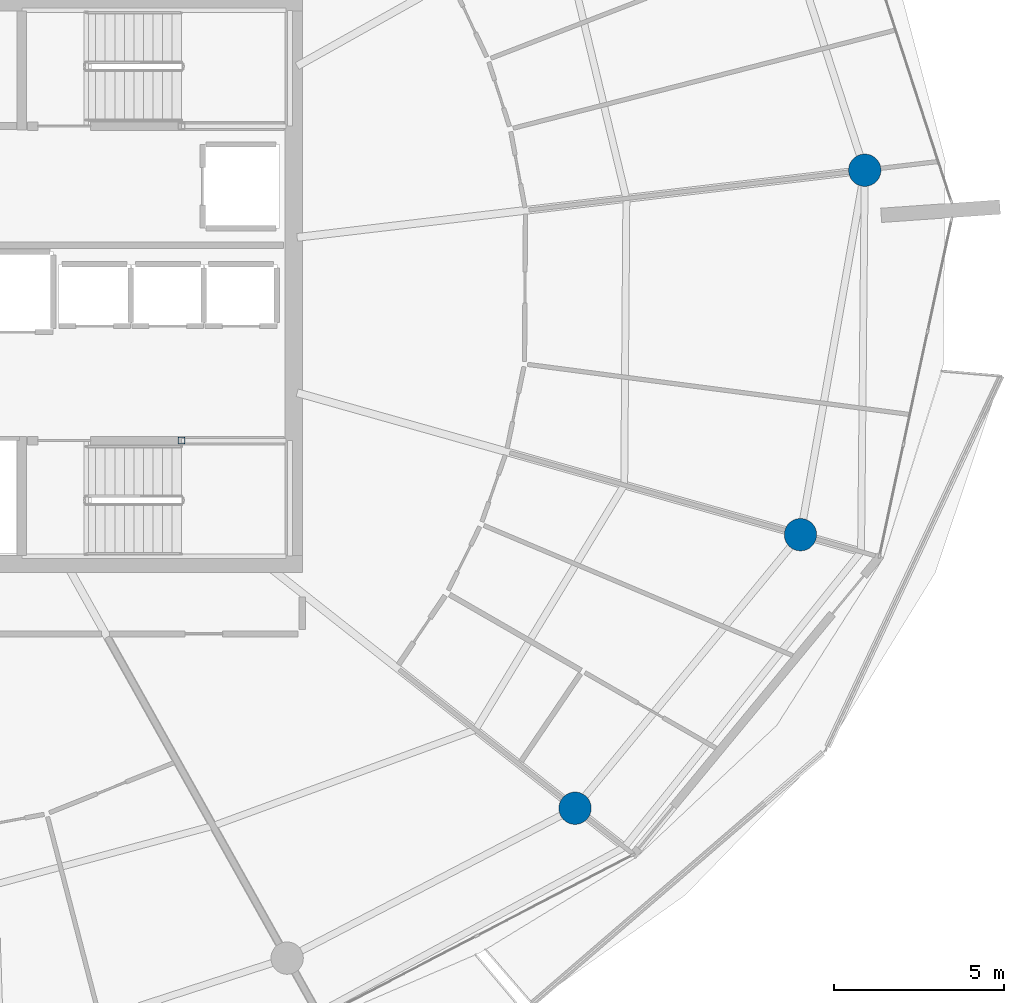
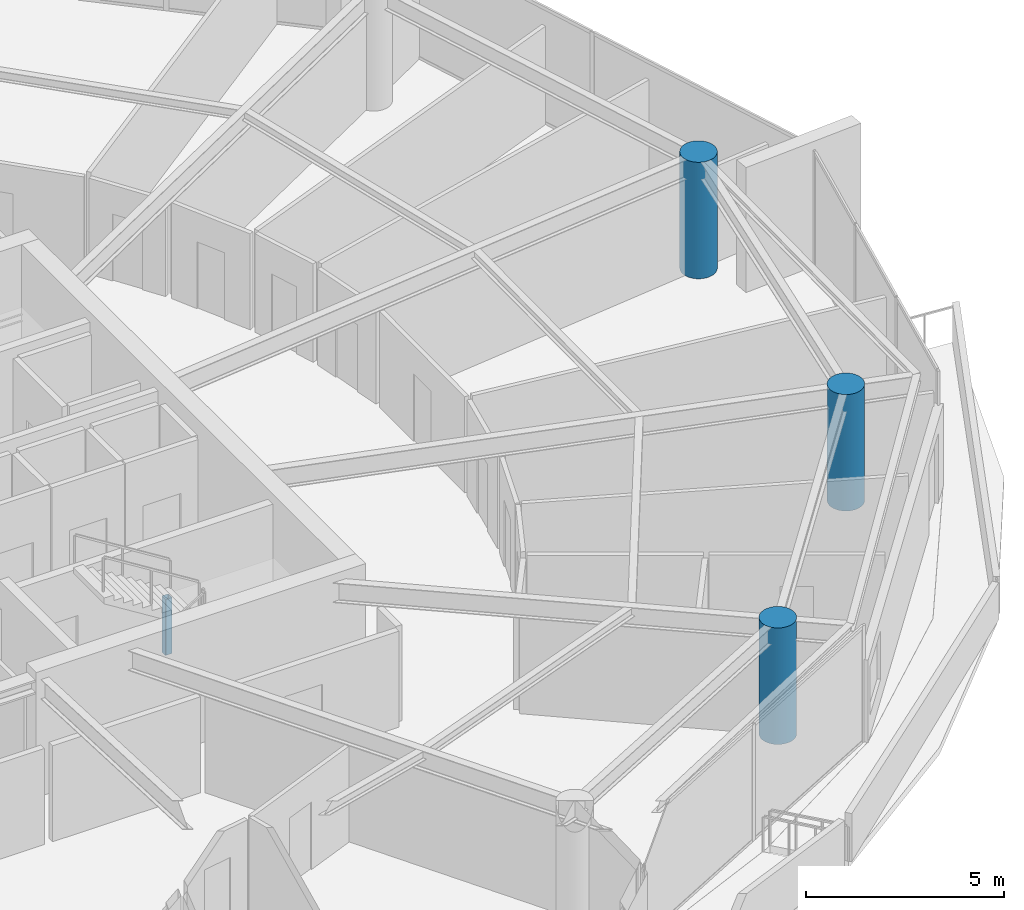
# One storey, part 3 of 30: 4 columns.
"""IFC4 building model written with IfcOpenShell, lengths in metres."""

import ifcopenshell
import ifcopenshell.guid

model = None  # the IFC model being written
_history = None  # IfcOwnerHistory: only IFC2X3 demands one
_inside = {}  # id of a spatial element -> (the spatial element, [elements in it])
_under = {}  # id of a project, library or spatial element -> (it, [spatial elements below it])
_declared = {}  # id of a project -> (the project, [libraries it declares])
_typed = {}  # id of a type object -> (the type object, [elements of that type])
_made_of = {}  # id of a material, layer set ... -> (it, [elements and type objects made of it])


def new_model(schema):
    """Start an empty IFC model of exactly this schema.

    Asked for "IFC4X3", IfcOpenShell would pick the latest addendum, in which some entities
    have other attributes; the version numbers below select the first issue.
    IFC2X3 requires an IfcOwnerHistory on every rooted entity: one is made here for all.
    """
    global model, _history
    if schema == "IFC4X3":
        model = ifcopenshell.file(schema_version=(4, 3, 0, 0))
    else:
        model = ifcopenshell.file(schema=schema)
    _inside.clear()
    _under.clear()
    _declared.clear()
    _typed.clear()
    _made_of.clear()
    _history = None
    if model.schema == "IFC2X3":
        org = make("IfcOrganization", Name="unknown")
        user = make(
            "IfcPersonAndOrganization",
            ThePerson=make("IfcPerson", FamilyName="unknown"),
            TheOrganization=org,
        )
        app = make(
            "IfcApplication",
            ApplicationDeveloper=org,
            Version="unknown",
            ApplicationFullName="unknown",
            ApplicationIdentifier="unknown",
        )
        _history = make(
            "IfcOwnerHistory",
            OwningUser=user,
            OwningApplication=app,
            ChangeAction="ADDED",
            CreationDate=0,
        )
    return model


def make(cls, **values):
    """One entity of the class cls with the attributes given. An attribute that is None is left unset."""
    return model.create_entity(
        cls, **{name: value for name, value in values.items() if value is not None}
    )


def rooted(cls, **values):
    """An entity with a GlobalId (a new one), such as an element, a storey or a relation."""
    return make(cls, GlobalId=ifcopenshell.guid.new(), OwnerHistory=_history, **values)


def si_unit(unit_type, name, prefix=None):
    """IfcSIUnit, for example si_unit("LENGTHUNIT", "METRE", prefix="MILLI")."""
    return make("IfcSIUnit", UnitType=unit_type, Prefix=prefix, Name=name)


def assignment(units):
    """IfcUnitAssignment: the units of a project."""
    return None if units is None else make("IfcUnitAssignment", Units=units)


def point(xyz):
    """IfcCartesianPoint."""
    return None if xyz is None else make("IfcCartesianPoint", Coordinates=xyz)


def direction(xyz):
    """IfcDirection."""
    return None if xyz is None else make("IfcDirection", DirectionRatios=xyz)


def frame(location, z_axis=None, x_axis=None):
    """IfcAxis2Placement3D, a coordinate frame: its origin and axes. An axis left out is left unset."""
    return make(
        "IfcAxis2Placement3D",
        Location=point(location),
        Axis=direction(z_axis),
        RefDirection=direction(x_axis),
    )


def frame_2d(location, x_axis=None):
    """IfcAxis2Placement2D, a coordinate frame in the plane: its origin and x axis."""
    return make(
        "IfcAxis2Placement2D", Location=point(location), RefDirection=direction(x_axis)
    )


def origin():
    """The frame at (0, 0, 0) with its axes left unset."""
    return frame((0.0, 0.0, 0.0))


def origin_2d():
    """The frame at (0, 0) in the plane with its x axis left unset."""
    return frame_2d((0.0, 0.0))


def place(relative_to, where):
    """IfcLocalPlacement: puts the frame where relative to a parent placement (None: the world)."""
    return make(
        "IfcLocalPlacement", PlacementRelTo=relative_to, RelativePlacement=where
    )


def context(
    kind, dimensions, precision=None, world=None, true_north=None, identifier=None
):
    """IfcGeometricRepresentationContext, for example the 3D "Model" context."""
    return make(
        "IfcGeometricRepresentationContext",
        ContextIdentifier=identifier,
        ContextType=kind,
        CoordinateSpaceDimension=dimensions,
        Precision=precision,
        WorldCoordinateSystem=world,
        TrueNorth=true_north,
    )


def subcontext(parent, identifier, kind, view, scale=None):
    """IfcGeometricRepresentationSubContext, for example "Body" below "Model"."""
    return make(
        "IfcGeometricRepresentationSubContext",
        ContextIdentifier=identifier,
        ContextType=kind,
        ParentContext=parent,
        TargetScale=scale,
        TargetView=view,
    )


def project(units=None, contexts=None):
    """IfcProject with its units and contexts."""
    return rooted(
        "IfcProject",
        Name="project",
        RepresentationContexts=contexts,
        UnitsInContext=assignment(units),
    )


def spatial(cls, under=None, at=None, **own):
    """A site, building, storey or space (cls), placed at a placement, below another one or the project."""
    s = rooted(cls, ObjectPlacement=at, **own)
    if under is not None:
        _under.setdefault(under.id(), (under, []))[1].append(s)
    return s


def profile(cls, at=None, kind="AREA", **sizes):
    """A parametric profile (cls). Its sizes go by their IFC names, for example OverallWidth=200.0."""
    return make(cls, ProfileType=kind, Position=at, **sizes)


def hollow_rectangle(**sizes):
    """IfcRectangleHollowProfileDef."""
    return profile("IfcRectangleHollowProfileDef", **sizes)


def circle(**sizes):
    """IfcCircleProfileDef."""
    return profile("IfcCircleProfileDef", **sizes)


def extrude(swept, where, along, depth):
    """IfcExtrudedAreaSolid: the profile swept, set in the frame where, extruded along a direction by depth."""
    return make(
        "IfcExtrudedAreaSolid",
        SweptArea=swept,
        Position=where,
        ExtrudedDirection=direction(along),
        Depth=depth,
    )


def shape(context_of_items, identifier, shape_type, items):
    """IfcShapeRepresentation: the items that make up one representation, for example the "Body"."""
    return make(
        "IfcShapeRepresentation",
        ContextOfItems=context_of_items,
        RepresentationIdentifier=identifier,
        RepresentationType=shape_type,
        Items=items,
    )


def material(Name=None, Category=None):
    """IfcMaterial."""
    return make("IfcMaterial", Name=Name, Category=Category)


def material_profile(
    of_material, cross_section, Name=None, Category=None, Priority=None
):
    """IfcMaterialProfile: a cross section and its material."""
    return make(
        "IfcMaterialProfile",
        Name=Name,
        Material=of_material,
        Profile=cross_section,
        Priority=Priority,
        Category=Category,
    )


def profile_set(profiles, Name=None, composite=None):
    """IfcMaterialProfileSet."""
    return make(
        "IfcMaterialProfileSet",
        Name=Name,
        MaterialProfiles=profiles,
        CompositeProfile=composite,
    )


def made_of(thing, what):
    """Note that an element or type object is made of a material, layer set ...; save() writes the relation."""
    if what is not None:
        _made_of.setdefault(what.id(), (what, []))[1].append(thing)
    return thing


def type_object(cls, material=None, **own):
    """A type object (cls), such as IfcWallType, which elements share."""
    return made_of(rooted(cls, **own), material)


def element(
    cls,
    number,
    at=None,
    inside=None,
    cuts=None,
    type_object=None,
    material=None,
    context=None,
    identifier="Body",
    shape_type=None,
    held_by="IfcProductDefinitionShape",
    body=None,
    shapes=None,
    **own,
):
    """One element of the class cls, such as IfcWall. Its Tag is "e" and its number.

    at: its placement. inside: the storey or other place that contains it. cuts: it is an
    opening in that element (IfcRelVoidsElement). A single representation is given by context,
    identifier, shape_type and body (its items); several are given by shapes. held_by: the class
    of the entity that holds the representations. save() writes the other relations.
    """
    e = rooted(cls, Tag="e%d" % number, ObjectPlacement=at, **own)
    if body is not None:
        shapes = [shape(context, identifier, shape_type, body)]
    if shapes is not None:
        e.Representation = make(held_by, Representations=shapes)
    if inside is not None:
        _inside.setdefault(inside.id(), (inside, []))[1].append(e)
    if cuts is not None:
        rooted(
            "IfcRelVoidsElement", RelatingBuildingElement=cuts, RelatedOpeningElement=e
        )
    if type_object is not None:
        _typed.setdefault(type_object.id(), (type_object, []))[1].append(e)
    return made_of(e, material)


def aggregate(whole, parts):
    """IfcRelAggregates: a whole, such as a stair, and the parts it consists of."""
    return rooted("IfcRelAggregates", RelatingObject=whole, RelatedObjects=parts)


def save(model, path):
    """Write the relations noted so far, then the file.

    IfcRelAggregates (storeys below a building ...), IfcRelContainedInSpatialStructure (elements
    in a storey), IfcRelDefinesByType, IfcRelAssociatesMaterial and IfcRelDeclares: one each for
    every whole, place, type object, material and project.
    """
    for whole, parts in _under.values():
        aggregate(whole, parts)
    for where, things in _inside.values():
        rooted(
            "IfcRelContainedInSpatialStructure",
            RelatedElements=things,
            RelatingStructure=where,
        )
    for kind, things in _typed.values():
        rooted("IfcRelDefinesByType", RelatedObjects=things, RelatingType=kind)
    for what, things in _made_of.values():
        rooted("IfcRelAssociatesMaterial", RelatedObjects=things, RelatingMaterial=what)
    for by, libraries in _declared.values():
        rooted("IfcRelDeclares", RelatingContext=by, RelatedDefinitions=libraries)
    model.write(path)


model = new_model("IFC4")

# Units and contexts
model_context = context("Model", 3, precision=1e-05, world=origin(), true_north=direction((0.0, 1.0)))
body_context = subcontext(model_context, "Body", "Model", "MODEL_VIEW")
ifc_project = project(units=[si_unit("LENGTHUNIT", "METRE"), si_unit("AREAUNIT", "SQUARE_METRE"), si_unit("VOLUMEUNIT", "CUBIC_METRE"), si_unit("PLANEANGLEUNIT", "RADIAN"), si_unit("MASSUNIT", "GRAM", prefix="KILO")], contexts=[model_context])

# Site, building, storey
site_placement = place(None, origin())
site = spatial("IfcSite", under=ifc_project, at=site_placement, CompositionType="ELEMENT")
building_placement = place(site_placement, origin())
building = spatial("IfcBuilding", under=site, at=building_placement, Name="Kazma Halo Residences", CompositionType="ELEMENT")
storey_placement = place(building_placement, frame((0.0, 0.0, 294.449951171875)))
storey = spatial("IfcBuildingStorey", under=building, at=storey_placement, Name="L74", CompositionType="ELEMENT", Elevation=294.449951171875)

# Columns
ifc_material_1 = material(Name="Steel S355", Category="steel")
ifc_material_profile_1 = material_profile(ifc_material_1, hollow_rectangle(XDim=0.199951171875, YDim=0.199951171875, WallThickness=0.010009765625, InnerFilletRadius=0.010009765625, OuterFilletRadius=0.02001953125, at=origin_2d()), Name="SHS200x200x10")
ifc_profile_set_1 = profile_set([ifc_material_profile_1], Name="Steel S355")
column_type_1 = type_object("IfcColumnType", Name="COL-LP-SHS200", PredefinedType="COLUMN", material=ifc_profile_set_1)
column_placement = place(storey_placement, frame((56.0, 37.3798828125, 0.0), z_axis=(0.0, 0.0, 1.0), x_axis=(1.0, 0.0, 0.0)))
element("IfcColumn", 1, at=column_placement, inside=storey, type_object=column_type_1, Name="L74 ST-03 landing pilaster 1", PredefinedType="COLUMN", context=body_context, shape_type="SweptSolid", body=[
    extrude(hollow_rectangle(XDim=0.199951171875, YDim=0.199951171875, WallThickness=0.010009765625, InnerFilletRadius=0.010009765625, OuterFilletRadius=0.02001953125, at=origin_2d()), origin(), (0.0, 0.0, 1.0), 1.719970703125),
])
ifc_material_2 = material(Name="Concrete C60/75", Category="concrete")
ifc_material_profile_2 = material_profile(ifc_material_2, circle(Radius=0.47509765625, at=origin_2d()), Name="CIRC950")
ifc_profile_set_2 = profile_set([ifc_material_profile_2], Name="Concrete C60/75")
column_type_2 = type_object("IfcColumnType", Name="COL-PERIM-950", PredefinedType="COLUMN", material=ifc_profile_set_2)
for number, where, z_axis, x_axis, name in (
    (2, (67.566162109375, 26.5751953125, 0.0), (0.0, 0.0, 1.0), (1.0, 0.0, 0.0), "L74 perimeter ring column P14"),
    (3, (74.19091796875, 34.61328125, 0.0), (0.0, 0.0, 1.0), (1.0, 0.0, 0.0), "L74 perimeter ring column P15"),
    (4, (76.07958984375, 45.323486328125, 0.0), (0.0, 0.0, 1.0), (1.0, 0.0, 0.0), "L74 perimeter ring column P16"),
):
    element("IfcColumn", number, at=place(storey_placement, frame(where, z_axis=z_axis, x_axis=x_axis)), inside=storey, type_object=column_type_2, Name=name, PredefinedType="COLUMN", context=body_context, shape_type="SweptSolid", body=[
        extrude(circle(Radius=0.47509765625, at=origin_2d()), origin(), (0.0, 0.0, 1.0), 3.590087890625),
    ])

save(model, "model.ifc")
